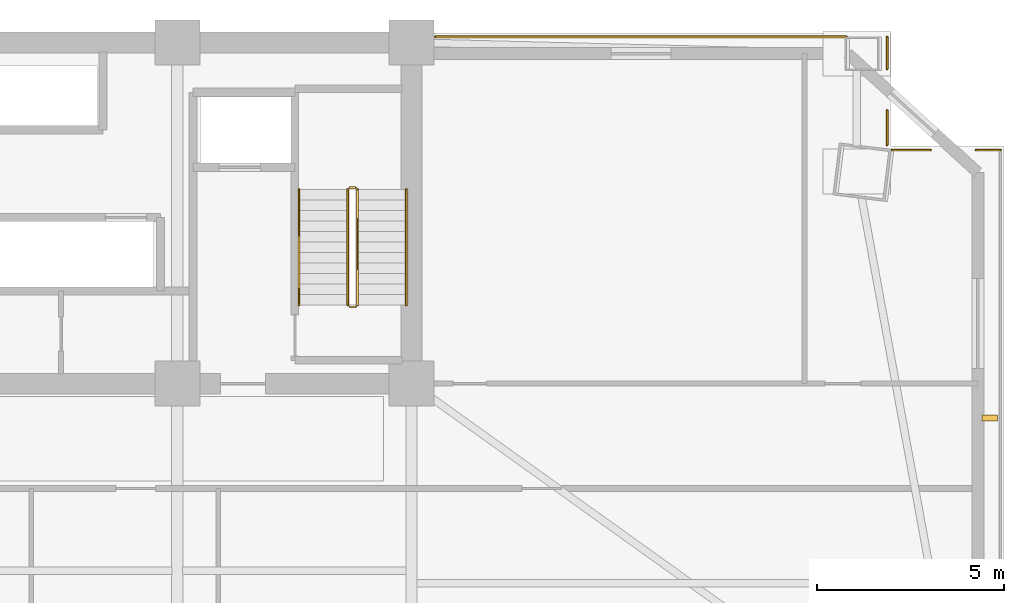
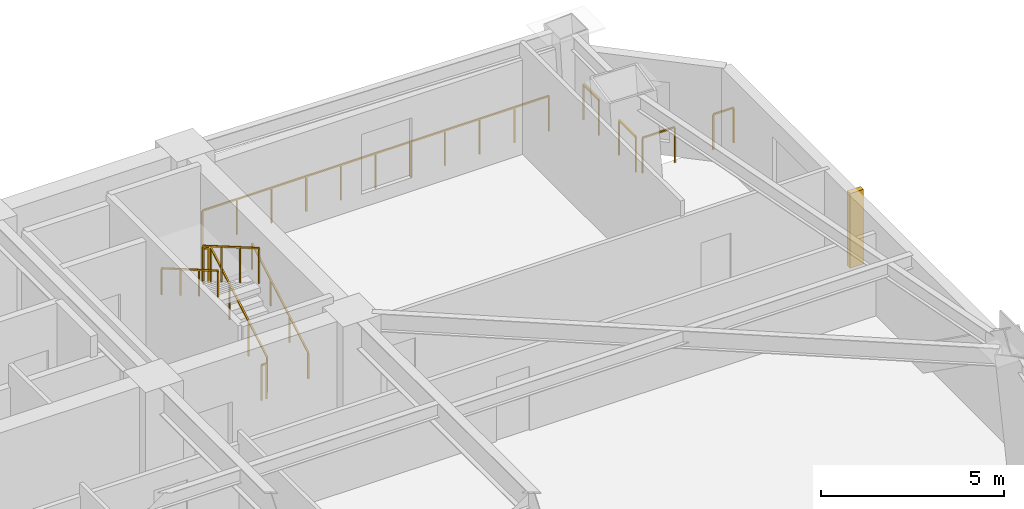
# One storey, part 15 of 15: 11 railings, 1 shading device.
"""IFC4 building model written with IfcOpenShell, lengths in metres."""

from ifc_helpers import new_model, si_unit, direction, frame, origin, origin_2d, place, context, subcontext, project, spatial, rectangle, extrude, source, transform, mapped, material, type_object, element, save


model = new_model("IFC4")

# Units and contexts
model_context = context("Model", 3, precision=1e-05, world=origin(), true_north=direction((0.0, 1.0)))
body_context = subcontext(model_context, "Body", "Model", "MODEL_VIEW")
ifc_project = project(units=[si_unit("LENGTHUNIT", "METRE"), si_unit("AREAUNIT", "SQUARE_METRE"), si_unit("VOLUMEUNIT", "CUBIC_METRE"), si_unit("PLANEANGLEUNIT", "RADIAN"), si_unit("MASSUNIT", "GRAM", prefix="KILO")], contexts=[model_context])

# Site, building, storey
site_placement = place(None, origin())
site = spatial("IfcSite", under=ifc_project, at=site_placement, CompositionType="ELEMENT")
building_placement = place(site_placement, origin())
building = spatial("IfcBuilding", under=site, at=building_placement, Name="Giltprow Tower", CompositionType="ELEMENT")
storey_placement = place(building_placement, frame((0.0, 0.0, 119.199951171875)))
storey = spatial("IfcBuildingStorey", under=building, at=storey_placement, Name="L29", CompositionType="ELEMENT", Elevation=119.199951171875)

# Railings
ifc_material = material(Name="Anodized bronze", Category="metal")
railing_type_1 = type_object("IfcRailingType", Name="RAIL-BALC-GUARD-1200", PredefinedType="BALUSTRADE", material=ifc_material)
railing_1_placement = place(storey_placement, frame((51.18505859375, 46.699951171875, 0.0)))
element("IfcRailing", 1, at=railing_1_placement, inside=storey, type_object=railing_type_1, Name="L29 Corner Apron Edge Balustrade 11", PredefinedType="BALUSTRADE", context=body_context, shape_type="SweptSolid", body=[
    extrude(rectangle(XDim=0.048095703125, YDim=0.048095703125, at=origin_2d()), frame((0.0, 0.0, 1.17578125), z_axis=(1.0, 0.0, 0.0), x_axis=(0.0, 1.0, 0.0)), (0.0, 0.0, 1.0), 10.968994140625),
    extrude(rectangle(XDim=0.0419921875, YDim=0.0419921875, at=origin_2d()), origin(), (0.0, 0.0, 1.0), 1.15185546875),
    extrude(rectangle(XDim=0.0419921875, YDim=0.0419921875, at=origin_2d()), frame((1.096923828125, 0.0, 0.0)), (0.0, 0.0, 1.0), 1.15185546875),
    extrude(rectangle(XDim=0.0419921875, YDim=0.0419921875, at=origin_2d()), frame((2.19384765625, 0.0, 0.0)), (0.0, 0.0, 1.0), 1.15185546875),
    extrude(rectangle(XDim=0.0419921875, YDim=0.0419921875, at=origin_2d()), frame((3.290771484375, 0.0, 0.0)), (0.0, 0.0, 1.0), 1.15185546875),
    extrude(rectangle(XDim=0.0419921875, YDim=0.0419921875, at=origin_2d()), frame((4.3876953125, 0.0, 0.0)), (0.0, 0.0, 1.0), 1.15185546875),
    extrude(rectangle(XDim=0.0419921875, YDim=0.0419921875, at=origin_2d()), frame((5.484375, 0.0, 0.0)), (0.0, 0.0, 1.0), 1.15185546875),
    extrude(rectangle(XDim=0.0419921875, YDim=0.0419921875, at=origin_2d()), frame((6.581298828125, 0.0, 0.0)), (0.0, 0.0, 1.0), 1.15185546875),
    extrude(rectangle(XDim=0.0419921875, YDim=0.0419921875, at=origin_2d()), frame((7.67822265625, 0.0, 0.0)), (0.0, 0.0, 1.0), 1.15185546875),
    extrude(rectangle(XDim=0.0419921875, YDim=0.0419921875, at=origin_2d()), frame((8.775146484375, 0.0, 0.0)), (0.0, 0.0, 1.0), 1.15185546875),
    extrude(rectangle(XDim=0.0419921875, YDim=0.0419921875, at=origin_2d()), frame((9.8720703125, 0.0, 0.0)), (0.0, 0.0, 1.0), 1.15185546875),
    extrude(rectangle(XDim=0.0419921875, YDim=0.0419921875, at=origin_2d()), frame((10.968994140625, 0.0, 0.0)), (0.0, 0.0, 1.0), 1.15185546875),
])
railing_2_placement = place(storey_placement, frame((63.239013671875, 46.699951171875, 0.0)))
element("IfcRailing", 2, at=railing_2_placement, inside=storey, type_object=railing_type_1, Name="L29 Corner Apron Edge Balustrade 12", PredefinedType="BALUSTRADE", context=body_context, shape_type="SweptSolid", body=[
    extrude(rectangle(XDim=0.048095703125, YDim=0.048095703125, at=origin_2d()), frame((0.0, 0.0, 1.17578125), z_axis=(0.0, -1.0, 0.0), x_axis=(1.0, 0.0, 0.0)), (0.0, 0.0, 1.0), 0.85400390625),
    extrude(rectangle(XDim=0.0419921875, YDim=0.0419921875, at=origin_2d()), origin(), (0.0, 0.0, 1.0), 1.15185546875),
    extrude(rectangle(XDim=0.0419921875, YDim=0.0419921875, at=origin_2d()), frame((0.0, -0.85400390625, 0.0)), (0.0, 0.0, 1.0), 1.15185546875),
])
railing_3_placement = place(storey_placement, frame((63.239013671875, 44.736083984375, 0.0)))
element("IfcRailing", 3, at=railing_3_placement, inside=storey, type_object=railing_type_1, Name="L29 Corner Apron Edge Balustrade 13", PredefinedType="BALUSTRADE", context=body_context, shape_type="SweptSolid", body=[
    extrude(rectangle(XDim=0.048095703125, YDim=0.048095703125, at=origin_2d()), frame((0.0, 0.0, 1.17578125), z_axis=(0.0, -1.0, 0.0), x_axis=(1.0, 0.0, 0.0)), (0.0, 0.0, 1.0), 0.91796875),
    extrude(rectangle(XDim=0.0419921875, YDim=0.0419921875, at=origin_2d()), origin(), (0.0, 0.0, 1.0), 1.15185546875),
    extrude(rectangle(XDim=0.0419921875, YDim=0.0419921875, at=origin_2d()), frame((0.0, -0.91796875, 0.0)), (0.0, 0.0, 1.0), 1.15185546875),
])
railing_4_placement = place(storey_placement, frame((63.3740234375, 43.68310546875, 0.0)))
element("IfcRailing", 4, at=railing_4_placement, inside=storey, type_object=railing_type_1, Name="L29 Corner Apron Edge Balustrade 14", PredefinedType="BALUSTRADE", context=body_context, shape_type="SweptSolid", body=[
    extrude(rectangle(XDim=0.048095703125, YDim=0.048095703125, at=origin_2d()), frame((0.0, 0.0, 1.17578125), z_axis=(1.0, 0.0, 0.0), x_axis=(0.0, 1.0, 0.0)), (0.0, 0.0, 1.0), 1.01708984375),
    extrude(rectangle(XDim=0.0419921875, YDim=0.0419921875, at=origin_2d()), origin(), (0.0, 0.0, 1.0), 1.15185546875),
    extrude(rectangle(XDim=0.0419921875, YDim=0.0419921875, at=origin_2d()), frame((1.01708984375, 0.0, 0.0)), (0.0, 0.0, 1.0), 1.15185546875),
])
railing_5_placement = place(storey_placement, frame((65.60693359375, 43.68310546875, 0.0)))
element("IfcRailing", 5, at=railing_5_placement, inside=storey, type_object=railing_type_1, Name="L29 Corner Apron Edge Balustrade 15", PredefinedType="BALUSTRADE", context=body_context, shape_type="SweptSolid", body=[
    extrude(rectangle(XDim=0.048095703125, YDim=0.048095703125, at=origin_2d()), frame((0.0, 0.0, 1.17578125), z_axis=(1.0, 0.0, 0.0), x_axis=(0.0, 1.0, 0.0)), (0.0, 0.0, 1.0), 0.649169921875),
    extrude(rectangle(XDim=0.0419921875, YDim=0.0419921875, at=origin_2d()), origin(), (0.0, 0.0, 1.0), 1.15185546875),
    extrude(rectangle(XDim=0.0419921875, YDim=0.0419921875, at=origin_2d()), frame((0.649169921875, 0.0, 0.0)), (0.0, 0.0, 1.0), 1.15185546875),
])
railing_type_2 = type_object("IfcRailingType", Name="RAIL-STAIR-GUARD-1200", PredefinedType="GUARDRAIL", material=ifc_material)
railing_6_placement = place(storey_placement, frame((49.110107421875, 39.550048828125, 0.16259765625)))
element("IfcRailing", 6, at=railing_6_placement, inside=storey, type_object=railing_type_2, Name="L29 ST-3 stair guard 1", PredefinedType="GUARDRAIL", context=body_context, shape_type="SweptSolid", body=[
    extrude(rectangle(XDim=0.048095703125, YDim=0.048095703125, at=origin_2d()), frame((0.0, 0.0, 1.17578125), z_axis=(0.0, 0.864903211148, 0.501938676878), x_axis=(-1.0, 0.0, 0.0)), (0.0, 0.0, 1.0), 3.560791015625),
    extrude(rectangle(XDim=0.0419921875, YDim=0.0419921875, at=origin_2d()), origin(), (0.0, 0.0, 1.0), 1.15185546875),
    extrude(rectangle(XDim=0.0419921875, YDim=0.0419921875, at=origin_2d()), frame((0.0, 1.026611328125, 0.595703125)), (0.0, 0.0, 1.0), 1.15185546875),
    extrude(rectangle(XDim=0.0419921875, YDim=0.0419921875, at=origin_2d()), frame((0.0, 2.05322265625, 1.191650390625)), (0.0, 0.0, 1.0), 1.15185546875),
    extrude(rectangle(XDim=0.0419921875, YDim=0.0419921875, at=origin_2d()), frame((0.0, 3.079833984375, 1.787353515625)), (0.0, 0.0, 1.0), 1.15185546875),
])
railing_7_placement = place(storey_placement, frame((49.06005859375, 42.679931640625, 1.949951171875)))
element("IfcRailing", 7, at=railing_7_placement, inside=storey, type_object=railing_type_2, Name="L29 ST-3 stair guard 2", PredefinedType="GUARDRAIL", context=body_context, shape_type="SweptSolid", body=[
    extrude(rectangle(XDim=0.048095703125, YDim=0.048095703125, at=origin_2d()), frame((0.0, 0.0, 1.17578125), z_axis=(-1.0, 0.0, 0.0), x_axis=(0.0, -1.0, 0.0)), (0.0, 0.0, 1.0), 0.16015625),
    extrude(rectangle(XDim=0.0419921875, YDim=0.0419921875, at=origin_2d()), origin(), (0.0, 0.0, 1.0), 1.15185546875),
    extrude(rectangle(XDim=0.0419921875, YDim=0.0419921875, at=origin_2d()), frame((-0.16015625, 0.0, 0.0)), (0.0, 0.0, 1.0), 1.15185546875),
])
railing_8_placement = place(storey_placement, frame((48.85009765625, 42.6298828125, 2.112548828125)))
element("IfcRailing", 8, at=railing_8_placement, inside=storey, type_object=railing_type_2, Name="L29 ST-3 stair guard 3", PredefinedType="GUARDRAIL", context=body_context, shape_type="SweptSolid", body=[
    extrude(rectangle(XDim=0.048095703125, YDim=0.048095703125, at=origin_2d()), frame((0.0, 0.0, 1.17578125), z_axis=(0.0, -0.864873446163, 0.501989962173), x_axis=(1.0, 0.0, 0.0)), (0.0, 0.0, 1.0), 3.56103515625),
    extrude(rectangle(XDim=0.0419921875, YDim=0.0419921875, at=origin_2d()), origin(), (0.0, 0.0, 1.0), 1.15185546875),
    extrude(rectangle(XDim=0.0419921875, YDim=0.0419921875, at=origin_2d()), frame((0.0, -1.026611328125, 0.595947265625)), (0.0, 0.0, 1.0), 1.15185546875),
    extrude(rectangle(XDim=0.0419921875, YDim=0.0419921875, at=origin_2d()), frame((0.0, -2.05322265625, 1.191650390625)), (0.0, 0.0, 1.0), 1.15185546875),
    extrude(rectangle(XDim=0.0419921875, YDim=0.0419921875, at=origin_2d()), frame((0.0, -3.079833984375, 1.78759765625)), (0.0, 0.0, 1.0), 1.15185546875),
])
railing_9_placement = place(storey_placement, frame((49.06005859375, 39.5, 0.0)))
element("IfcRailing", 9, at=railing_9_placement, inside=storey, type_object=railing_type_2, Name="L29 ST-3 stair guard 4", PredefinedType="GUARDRAIL", context=body_context, shape_type="SweptSolid", body=[
    extrude(rectangle(XDim=0.048095703125, YDim=0.048095703125, at=origin_2d()), frame((0.0, 0.0, 1.17578125), z_axis=(-1.0, 0.0, 0.0), x_axis=(0.0, -1.0, 0.0)), (0.0, 0.0, 1.0), 0.16015625),
    extrude(rectangle(XDim=0.0419921875, YDim=0.0419921875, at=origin_2d()), origin(), (0.0, 0.0, 1.0), 1.15185546875),
    extrude(rectangle(XDim=0.0419921875, YDim=0.0419921875, at=origin_2d()), frame((-0.16015625, 0.0, 0.0)), (0.0, 0.0, 1.0), 1.15185546875),
])
railing_type_3 = type_object("IfcRailingType", Name="RAIL-STAIR-HAND-900", PredefinedType="HANDRAIL", material=ifc_material)
railing_10_placement = place(storey_placement, frame((50.409912109375, 39.550048828125, 0.16259765625)))
element("IfcRailing", 10, at=railing_10_placement, inside=storey, type_object=railing_type_3, Name="L29 ST-3 stair handrail 1", PredefinedType="HANDRAIL", context=body_context, shape_type="SweptSolid", body=[
    extrude(rectangle(XDim=0.048095703125, YDim=0.048095703125, at=origin_2d()), frame((0.0, 0.0, 0.8759765625), z_axis=(0.0, 0.864903211148, 0.501938676878), x_axis=(-1.0, 0.0, 0.0)), (0.0, 0.0, 1.0), 3.560791015625),
    extrude(rectangle(XDim=0.0419921875, YDim=0.0419921875, at=origin_2d()), origin(), (0.0, 0.0, 1.0), 0.851806640625),
    extrude(rectangle(XDim=0.0419921875, YDim=0.0419921875, at=origin_2d()), frame((0.0, 1.026611328125, 0.595703125)), (0.0, 0.0, 1.0), 0.851806640625),
    extrude(rectangle(XDim=0.0419921875, YDim=0.0419921875, at=origin_2d()), frame((0.0, 2.05322265625, 1.191650390625)), (0.0, 0.0, 1.0), 0.851806640625),
    extrude(rectangle(XDim=0.0419921875, YDim=0.0419921875, at=origin_2d()), frame((0.0, 3.079833984375, 1.787353515625)), (0.0, 0.0, 1.0), 0.851806640625),
])
railing_11_placement = place(storey_placement, frame((47.550048828125, 42.6298828125, 2.112548828125)))
element("IfcRailing", 11, at=railing_11_placement, inside=storey, type_object=railing_type_3, Name="L29 ST-3 stair handrail 2", PredefinedType="HANDRAIL", context=body_context, shape_type="SweptSolid", body=[
    extrude(rectangle(XDim=0.048095703125, YDim=0.048095703125, at=origin_2d()), frame((0.0, 0.0, 0.8759765625), z_axis=(0.0, -0.864873446163, 0.501989962173), x_axis=(1.0, 0.0, 0.0)), (0.0, 0.0, 1.0), 3.56103515625),
    extrude(rectangle(XDim=0.0419921875, YDim=0.0419921875, at=origin_2d()), origin(), (0.0, 0.0, 1.0), 0.851806640625),
    extrude(rectangle(XDim=0.0419921875, YDim=0.0419921875, at=origin_2d()), frame((0.0, -1.026611328125, 0.595947265625)), (0.0, 0.0, 1.0), 0.851806640625),
    extrude(rectangle(XDim=0.0419921875, YDim=0.0419921875, at=origin_2d()), frame((0.0, -2.05322265625, 1.191650390625)), (0.0, 0.0, 1.0), 0.851806640625),
    extrude(rectangle(XDim=0.0419921875, YDim=0.0419921875, at=origin_2d()), frame((0.0, -3.079833984375, 1.78759765625)), (0.0, 0.0, 1.0), 0.851806640625),
])

# Shading device
shading_device_type = type_object("IfcShadingDeviceType", Name="SHD-FIN-420", PredefinedType="USERDEFINED", material=ifc_material)
shared_shape = source(origin(), body_context, "Body", "SweptSolid", [
    extrude(rectangle(XDim=0.419921875, YDim=0.159912109375, at=origin_2d()), origin(), (0.0, 0.0, 1.0), 2.5),
])
shading_device_placement = place(storey_placement, frame((65.97607421875, 36.5380859375, 0.35009765625), z_axis=(0.0, 0.0, 1.0), x_axis=(1.0, 0.0, 0.0)))
element("IfcShadingDevice", 12, at=shading_device_placement, inside=storey, type_object=shading_device_type, Name="L29 E Bronze Vertical Fin 2-1", ObjectType="FIN", PredefinedType="USERDEFINED", context=body_context, shape_type="MappedRepresentation", body=[
    mapped(shared_shape, transform((0.0, 0.0, 0.0), x_axis=(1.0, 0.0, 0.0), y_axis=(0.0, 1.0, 0.0), z_axis=(0.0, 0.0, 1.0), scale=1.0)),
])

save(model, "model.ifc")
